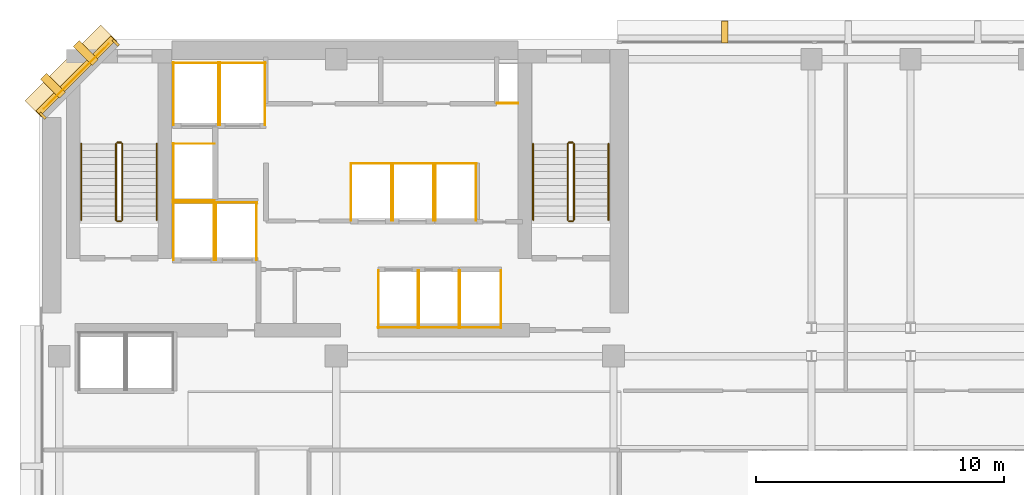
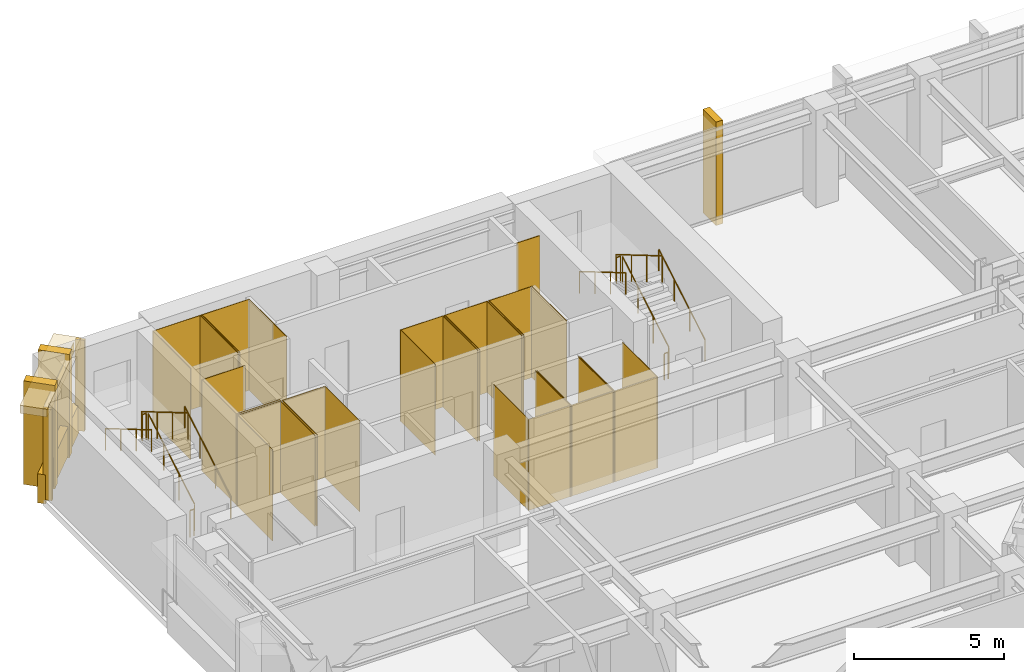
# One storey, part 10 of 11: 42 coverings, 12 railings.
"""IFC4 building model written with IfcOpenShell, lengths in metres."""

from ifc_helpers import new_model, si_unit, direction, frame, origin, origin_2d, place, context, subcontext, project, spatial, polyline, rectangle, circle, outline, extrude, material, layer, layer_set, type_object, element, save


model = new_model("IFC4")

# Units and contexts
model_context = context("Model", 3, precision=1e-05, world=origin(), true_north=direction((0.0, 1.0)))
body_context = subcontext(model_context, "Body", "Model", "MODEL_VIEW")
ifc_project = project(units=[si_unit("LENGTHUNIT", "METRE"), si_unit("AREAUNIT", "SQUARE_METRE"), si_unit("VOLUMEUNIT", "CUBIC_METRE"), si_unit("PLANEANGLEUNIT", "RADIAN"), si_unit("MASSUNIT", "GRAM", prefix="KILO")], contexts=[model_context])

# Site, building, storey
site_placement = place(None, origin())
site = spatial("IfcSite", under=ifc_project, at=site_placement, CompositionType="ELEMENT")
building_placement = place(site_placement, origin())
building = spatial("IfcBuilding", under=site, at=building_placement, Name="Kefirva Bronze Tower", CompositionType="ELEMENT")
storey_placement = place(building_placement, frame((0.0, 0.0, 154.77001953125)))
storey = spatial("IfcBuildingStorey", under=building, at=storey_placement, Name="L37", CompositionType="ELEMENT", Elevation=154.77001953125)

# Coverings
ifc_material_1 = material(Name="Bronze anodised aluminium", Category="aluminium")
ifc_layer_1 = layer(ifc_material_1, 0.02001953125, Name="Bronze anodised aluminium")
ifc_layer_set_1 = layer_set([ifc_layer_1], Name="Bronze anodised aluminium")
covering_type_1 = type_object("IfcCoveringType", Name="Anodised Bronze Spandrel Cladding 20mm", PredefinedType="CLADDING", material=ifc_layer_set_1)
covering_1_placement = place(storey_placement, frame((1.492919921875, 44.507080078125, 3.2900390625), z_axis=(0.0, 0.0, 1.0), x_axis=(-0.707106781187, -0.707106781187, 0.0)))
element("IfcCovering", 1, at=covering_1_placement, inside=storey, type_object=covering_type_1, Name="L37 Bronze Spandrel Cladding 5", PredefinedType="CLADDING", context=body_context, shape_type="SweptSolid", body=[
    extrude(rectangle(XDim=3.719482421875, YDim=0.02001953125, at=origin_2d()), origin(), (0.0, 0.0, 1.0), 0.39990234375),
])
for number, where, z_axis, x_axis, name in (
    (2, (3.08837890625, 45.862060546875, 0.0), (0.0, 0.0, 1.0), (-0.707106781187, -0.707106781187, 0.0), "L37 Facade Joint Closure Panel 5S"),
    (3, (0.137939453125, 42.91162109375, 0.0), (0.0, 0.0, 1.0), (-0.707106781187, -0.707106781187, 0.0), "L37 Facade Joint Closure Panel 5E"),
):
    element("IfcCovering", number, at=place(storey_placement, frame(where, z_axis=z_axis, x_axis=x_axis)), inside=storey, type_object=covering_type_1, Name=name, PredefinedType="CLADDING", context=body_context, shape_type="SweptSolid", body=[
        extrude(rectangle(XDim=0.10009765625, YDim=0.320068359375, at=origin_2d()), origin(), (0.0, 0.0, 1.0), 3.7099609375),
    ])
covering_2_placement = place(storey_placement, frame((1.4716796875, 44.5283203125, -0.16015625), z_axis=(0.0, 0.0, 1.0), x_axis=(-0.707106781187, -0.707106781187, 0.0)))
element("IfcCovering", 4, at=covering_2_placement, inside=storey, type_object=covering_type_1, Name="L37 Streamline Horizontal Spandrel Band 9", PredefinedType="CLADDING", context=body_context, shape_type="SweptSolid", body=[
    extrude(rectangle(XDim=4.28271484375, YDim=0.280029296875, at=origin_2d()), origin(), (0.0, 0.0, 1.0), 1.179931640625),
])
covering_3_placement = place(storey_placement, origin())
element("IfcCovering", 5, at=covering_3_placement, inside=storey, type_object=covering_type_1, Name="L37 Lift FF1 Hoistway Liner N", PredefinedType="CLADDING", context=body_context, shape_type="SweptSolid", body=[
    extrude(outline(polyline([(5.39990234375, 39.389892578125), (7.080078125, 39.389892578125), (7.080078125, 39.409912109375), (5.39990234375, 39.409912109375), (5.39990234375, 39.389892578125)])), origin(), (0.0, 0.0, 1.0), 3.7099609375),
])
covering_4_placement = place(storey_placement, origin())
element("IfcCovering", 6, at=covering_4_placement, inside=storey, type_object=covering_type_1, Name="L37 Lift FF1 Hoistway Liner W", PredefinedType="CLADDING", context=body_context, shape_type="SweptSolid", body=[
    extrude(outline(polyline([(5.409912109375, 37.080078125), (5.429931640625, 37.080078125), (5.429931640625, 39.419921875), (5.409912109375, 39.419921875), (5.409912109375, 37.080078125)])), origin(), (0.0, 0.0, 1.0), 3.7099609375),
])
covering_5_placement = place(storey_placement, origin())
element("IfcCovering", 7, at=covering_5_placement, inside=storey, type_object=covering_type_1, Name="L37 Lift FF1 Hoistway Liner E", PredefinedType="CLADDING", context=body_context, shape_type="SweptSolid", body=[
    extrude(outline(polyline([(7.050048828125, 37.080078125), (7.070068359375, 37.080078125), (7.070068359375, 39.419921875), (7.050048828125, 39.419921875), (7.050048828125, 37.080078125)])), origin(), (0.0, 0.0, 1.0), 3.7099609375),
])
covering_6_placement = place(storey_placement, origin())
element("IfcCovering", 8, at=covering_6_placement, inside=storey, type_object=covering_type_1, Name="L37 Lift FF2 Hoistway Liner N", PredefinedType="CLADDING", context=body_context, shape_type="SweptSolid", body=[
    extrude(outline(polyline([(7.1201171875, 39.389892578125), (8.800048828125, 39.389892578125), (8.800048828125, 39.409912109375), (7.1201171875, 39.409912109375), (7.1201171875, 39.389892578125)])), origin(), (0.0, 0.0, 1.0), 3.7099609375),
])
covering_7_placement = place(storey_placement, origin())
element("IfcCovering", 9, at=covering_7_placement, inside=storey, type_object=covering_type_1, Name="L37 Lift FF2 Hoistway Liner W", PredefinedType="CLADDING", context=body_context, shape_type="SweptSolid", body=[
    extrude(outline(polyline([(7.1298828125, 37.080078125), (7.14990234375, 37.080078125), (7.14990234375, 39.419921875), (7.1298828125, 39.419921875), (7.1298828125, 37.080078125)])), origin(), (0.0, 0.0, 1.0), 3.7099609375),
])
covering_8_placement = place(storey_placement, origin())
element("IfcCovering", 10, at=covering_8_placement, inside=storey, type_object=covering_type_1, Name="L37 Lift FF2 Hoistway Liner E", PredefinedType="CLADDING", context=body_context, shape_type="SweptSolid", body=[
    extrude(outline(polyline([(8.77001953125, 37.080078125), (8.7900390625, 37.080078125), (8.7900390625, 39.419921875), (8.77001953125, 39.419921875), (8.77001953125, 37.080078125)])), origin(), (0.0, 0.0, 1.0), 3.7099609375),
])
covering_9_placement = place(storey_placement, origin())
element("IfcCovering", 11, at=covering_9_placement, inside=storey, type_object=covering_type_1, Name="L37 Lift SV1 Hoistway Liner N", PredefinedType="CLADDING", context=body_context, shape_type="SweptSolid", body=[
    extrude(outline(polyline([(5.39990234375, 45.0400390625), (7.260009765625, 45.0400390625), (7.260009765625, 45.06005859375), (5.39990234375, 45.06005859375), (5.39990234375, 45.0400390625)])), origin(), (0.0, 0.0, 1.0), 3.7099609375),
])
covering_10_placement = place(storey_placement, origin())
element("IfcCovering", 12, at=covering_10_placement, inside=storey, type_object=covering_type_1, Name="L37 Lift SV1 Hoistway Liner W", PredefinedType="CLADDING", context=body_context, shape_type="SweptSolid", body=[
    extrude(outline(polyline([(5.409912109375, 42.530029296875), (5.429931640625, 42.530029296875), (5.429931640625, 45.070068359375), (5.409912109375, 45.070068359375), (5.409912109375, 42.530029296875)])), origin(), (0.0, 0.0, 1.0), 3.7099609375),
])
covering_11_placement = place(storey_placement, origin())
element("IfcCovering", 13, at=covering_11_placement, inside=storey, type_object=covering_type_1, Name="L37 Lift SV1 Hoistway Liner E", PredefinedType="CLADDING", context=body_context, shape_type="SweptSolid", body=[
    extrude(outline(polyline([(7.22998046875, 42.530029296875), (7.25, 42.530029296875), (7.25, 45.070068359375), (7.22998046875, 45.070068359375), (7.22998046875, 42.530029296875)])), origin(), (0.0, 0.0, 1.0), 3.7099609375),
])
covering_12_placement = place(storey_placement, origin())
element("IfcCovering", 14, at=covering_12_placement, inside=storey, type_object=covering_type_1, Name="L37 Lift SV2 Hoistway Liner N", PredefinedType="CLADDING", context=body_context, shape_type="SweptSolid", body=[
    extrude(outline(polyline([(7.280029296875, 45.0400390625), (9.139892578125, 45.0400390625), (9.139892578125, 45.06005859375), (7.280029296875, 45.06005859375), (7.280029296875, 45.0400390625)])), origin(), (0.0, 0.0, 1.0), 3.7099609375),
])
covering_13_placement = place(storey_placement, origin())
element("IfcCovering", 15, at=covering_13_placement, inside=storey, type_object=covering_type_1, Name="L37 Lift SV2 Hoistway Liner W", PredefinedType="CLADDING", context=body_context, shape_type="SweptSolid", body=[
    extrude(outline(polyline([(7.2900390625, 42.530029296875), (7.31005859375, 42.530029296875), (7.31005859375, 45.070068359375), (7.2900390625, 45.070068359375), (7.2900390625, 42.530029296875)])), origin(), (0.0, 0.0, 1.0), 3.7099609375),
])
covering_14_placement = place(storey_placement, origin())
element("IfcCovering", 16, at=covering_14_placement, inside=storey, type_object=covering_type_1, Name="L37 Lift SV2 Hoistway Liner E", PredefinedType="CLADDING", context=body_context, shape_type="SweptSolid", body=[
    extrude(outline(polyline([(9.110107421875, 42.530029296875), (9.1298828125, 42.530029296875), (9.1298828125, 45.070068359375), (9.110107421875, 45.070068359375), (9.110107421875, 42.530029296875)])), origin(), (0.0, 0.0, 1.0), 3.7099609375),
])
covering_15_placement = place(storey_placement, origin())
element("IfcCovering", 17, at=covering_15_placement, inside=storey, type_object=covering_type_1, Name="L37 Lift MP1 Hoistway Liner S", PredefinedType="CLADDING", context=body_context, shape_type="SweptSolid", body=[
    extrude(outline(polyline([(13.679931640625, 34.340087890625), (15.320068359375, 34.340087890625), (15.320068359375, 34.360107421875), (13.679931640625, 34.360107421875), (13.679931640625, 34.340087890625)])), origin(), (0.0, 0.0, 1.0), 3.7099609375),
])
covering_16_placement = place(storey_placement, origin())
element("IfcCovering", 18, at=covering_16_placement, inside=storey, type_object=covering_type_1, Name="L37 Lift MP1 Hoistway Liner W", PredefinedType="CLADDING", context=body_context, shape_type="SweptSolid", body=[
    extrude(outline(polyline([(13.68994140625, 34.330078125), (13.7099609375, 34.330078125), (13.7099609375, 36.669921875), (13.68994140625, 36.669921875), (13.68994140625, 34.330078125)])), origin(), (0.0, 0.0, 1.0), 3.7099609375),
])
covering_17_placement = place(storey_placement, origin())
element("IfcCovering", 19, at=covering_17_placement, inside=storey, type_object=covering_type_1, Name="L37 Lift MP1 Hoistway Liner E", PredefinedType="CLADDING", context=body_context, shape_type="SweptSolid", body=[
    extrude(outline(polyline([(15.2900390625, 34.330078125), (15.31005859375, 34.330078125), (15.31005859375, 36.669921875), (15.2900390625, 36.669921875), (15.2900390625, 34.330078125)])), origin(), (0.0, 0.0, 1.0), 3.7099609375),
])
covering_18_placement = place(storey_placement, origin())
element("IfcCovering", 20, at=covering_18_placement, inside=storey, type_object=covering_type_1, Name="L37 Lift MP2 Hoistway Liner S", PredefinedType="CLADDING", context=body_context, shape_type="SweptSolid", body=[
    extrude(outline(polyline([(15.330078125, 34.340087890625), (16.969970703125, 34.340087890625), (16.969970703125, 34.360107421875), (15.330078125, 34.360107421875), (15.330078125, 34.340087890625)])), origin(), (0.0, 0.0, 1.0), 3.7099609375),
])
covering_19_placement = place(storey_placement, origin())
element("IfcCovering", 21, at=covering_19_placement, inside=storey, type_object=covering_type_1, Name="L37 Lift MP2 Hoistway Liner W", PredefinedType="CLADDING", context=body_context, shape_type="SweptSolid", body=[
    extrude(outline(polyline([(15.340087890625, 34.330078125), (15.360107421875, 34.330078125), (15.360107421875, 36.669921875), (15.340087890625, 36.669921875), (15.340087890625, 34.330078125)])), origin(), (0.0, 0.0, 1.0), 3.7099609375),
])
covering_20_placement = place(storey_placement, origin())
element("IfcCovering", 22, at=covering_20_placement, inside=storey, type_object=covering_type_1, Name="L37 Lift MP2 Hoistway Liner E", PredefinedType="CLADDING", context=body_context, shape_type="SweptSolid", body=[
    extrude(outline(polyline([(16.93994140625, 34.330078125), (16.9599609375, 34.330078125), (16.9599609375, 36.669921875), (16.93994140625, 36.669921875), (16.93994140625, 34.330078125)])), origin(), (0.0, 0.0, 1.0), 3.7099609375),
])
covering_21_placement = place(storey_placement, origin())
element("IfcCovering", 23, at=covering_21_placement, inside=storey, type_object=covering_type_1, Name="L37 Lift MP3 Hoistway Liner N", PredefinedType="CLADDING", context=body_context, shape_type="SweptSolid", body=[
    extrude(outline(polyline([(12.580078125, 40.969970703125), (14.25, 40.969970703125), (14.25, 40.989990234375), (12.580078125, 40.989990234375), (12.580078125, 40.969970703125)])), origin(), (0.0, 0.0, 1.0), 3.7099609375),
])
covering_22_placement = place(storey_placement, origin())
element("IfcCovering", 24, at=covering_22_placement, inside=storey, type_object=covering_type_1, Name="L37 Lift MP3 Hoistway Liner W", PredefinedType="CLADDING", context=body_context, shape_type="SweptSolid", body=[
    extrude(outline(polyline([(12.590087890625, 38.659912109375), (12.610107421875, 38.659912109375), (12.610107421875, 41.0), (12.590087890625, 41.0), (12.590087890625, 38.659912109375)])), origin(), (0.0, 0.0, 1.0), 3.7099609375),
])
covering_23_placement = place(storey_placement, origin())
element("IfcCovering", 25, at=covering_23_placement, inside=storey, type_object=covering_type_1, Name="L37 Lift MP3 Hoistway Liner E", PredefinedType="CLADDING", context=body_context, shape_type="SweptSolid", body=[
    extrude(outline(polyline([(14.219970703125, 38.659912109375), (14.239990234375, 38.659912109375), (14.239990234375, 41.0), (14.219970703125, 41.0), (14.219970703125, 38.659912109375)])), origin(), (0.0, 0.0, 1.0), 3.7099609375),
])
covering_24_placement = place(storey_placement, origin())
element("IfcCovering", 26, at=covering_24_placement, inside=storey, type_object=covering_type_1, Name="L37 Lift MP4 Hoistway Liner N", PredefinedType="CLADDING", context=body_context, shape_type="SweptSolid", body=[
    extrude(outline(polyline([(14.280029296875, 40.969970703125), (15.949951171875, 40.969970703125), (15.949951171875, 40.989990234375), (14.280029296875, 40.989990234375), (14.280029296875, 40.969970703125)])), origin(), (0.0, 0.0, 1.0), 3.7099609375),
])
covering_25_placement = place(storey_placement, origin())
element("IfcCovering", 27, at=covering_25_placement, inside=storey, type_object=covering_type_1, Name="L37 Lift MP4 Hoistway Liner W", PredefinedType="CLADDING", context=body_context, shape_type="SweptSolid", body=[
    extrude(outline(polyline([(14.2900390625, 38.659912109375), (14.31005859375, 38.659912109375), (14.31005859375, 41.0), (14.2900390625, 41.0), (14.2900390625, 38.659912109375)])), origin(), (0.0, 0.0, 1.0), 3.7099609375),
])
covering_26_placement = place(storey_placement, origin())
element("IfcCovering", 28, at=covering_26_placement, inside=storey, type_object=covering_type_1, Name="L37 Lift MP4 Hoistway Liner E", PredefinedType="CLADDING", context=body_context, shape_type="SweptSolid", body=[
    extrude(outline(polyline([(15.919921875, 38.659912109375), (15.93994140625, 38.659912109375), (15.93994140625, 41.0), (15.919921875, 41.0), (15.919921875, 38.659912109375)])), origin(), (0.0, 0.0, 1.0), 3.7099609375),
])
covering_27_placement = place(storey_placement, origin())
element("IfcCovering", 29, at=covering_27_placement, inside=storey, type_object=covering_type_1, Name="L37 Lift HP1 Hoistway Liner S", PredefinedType="CLADDING", context=body_context, shape_type="SweptSolid", body=[
    extrude(outline(polyline([(16.97998046875, 34.340087890625), (18.669921875, 34.340087890625), (18.669921875, 34.360107421875), (16.97998046875, 34.360107421875), (16.97998046875, 34.340087890625)])), origin(), (0.0, 0.0, 1.0), 3.7099609375),
])
covering_28_placement = place(storey_placement, origin())
element("IfcCovering", 30, at=covering_28_placement, inside=storey, type_object=covering_type_1, Name="L37 Lift HP1 Hoistway Liner W", PredefinedType="CLADDING", context=body_context, shape_type="SweptSolid", body=[
    extrude(outline(polyline([(16.989990234375, 34.330078125), (17.010009765625, 34.330078125), (17.010009765625, 36.669921875), (16.989990234375, 36.669921875), (16.989990234375, 34.330078125)])), origin(), (0.0, 0.0, 1.0), 3.7099609375),
])
covering_29_placement = place(storey_placement, origin())
element("IfcCovering", 31, at=covering_29_placement, inside=storey, type_object=covering_type_1, Name="L37 Lift HP1 Hoistway Liner E", PredefinedType="CLADDING", context=body_context, shape_type="SweptSolid", body=[
    extrude(outline(polyline([(18.639892578125, 34.330078125), (18.659912109375, 34.330078125), (18.659912109375, 36.669921875), (18.639892578125, 36.669921875), (18.639892578125, 34.330078125)])), origin(), (0.0, 0.0, 1.0), 3.7099609375),
])
covering_30_placement = place(storey_placement, origin())
element("IfcCovering", 32, at=covering_30_placement, inside=storey, type_object=covering_type_1, Name="L37 Lift HP2 Hoistway Liner N", PredefinedType="CLADDING", context=body_context, shape_type="SweptSolid", body=[
    extrude(outline(polyline([(15.97998046875, 40.969970703125), (17.669921875, 40.969970703125), (17.669921875, 40.989990234375), (15.97998046875, 40.989990234375), (15.97998046875, 40.969970703125)])), origin(), (0.0, 0.0, 1.0), 3.7099609375),
])
covering_31_placement = place(storey_placement, origin())
element("IfcCovering", 33, at=covering_31_placement, inside=storey, type_object=covering_type_1, Name="L37 Lift HP2 Hoistway Liner W", PredefinedType="CLADDING", context=body_context, shape_type="SweptSolid", body=[
    extrude(outline(polyline([(15.989990234375, 38.659912109375), (16.010009765625, 38.659912109375), (16.010009765625, 41.0), (15.989990234375, 41.0), (15.989990234375, 38.659912109375)])), origin(), (0.0, 0.0, 1.0), 3.7099609375),
])
covering_32_placement = place(storey_placement, origin())
element("IfcCovering", 34, at=covering_32_placement, inside=storey, type_object=covering_type_1, Name="L37 Lift HP2 Hoistway Liner E", PredefinedType="CLADDING", context=body_context, shape_type="SweptSolid", body=[
    extrude(outline(polyline([(17.639892578125, 38.659912109375), (17.659912109375, 38.659912109375), (17.659912109375, 41.0), (17.639892578125, 41.0), (17.639892578125, 38.659912109375)])), origin(), (0.0, 0.0, 1.0), 3.7099609375),
])
covering_33_placement = place(storey_placement, origin())
element("IfcCovering", 35, at=covering_33_placement, inside=storey, type_object=covering_type_1, Name="L37 Lift HP3 Hoistway Liner N", PredefinedType="CLADDING", context=body_context, shape_type="SweptSolid", body=[
    extrude(outline(polyline([(5.39990234375, 41.77001953125), (7.080078125, 41.77001953125), (7.080078125, 41.7900390625), (5.39990234375, 41.7900390625), (5.39990234375, 41.77001953125)])), origin(), (0.0, 0.0, 1.0), 3.7099609375),
])
covering_34_placement = place(storey_placement, origin())
element("IfcCovering", 36, at=covering_34_placement, inside=storey, type_object=covering_type_1, Name="L37 Lift HP3 Hoistway Liner S", PredefinedType="CLADDING", context=body_context, shape_type="SweptSolid", body=[
    extrude(outline(polyline([(5.39990234375, 39.469970703125), (7.080078125, 39.469970703125), (7.080078125, 39.489990234375), (5.39990234375, 39.489990234375), (5.39990234375, 39.469970703125)])), origin(), (0.0, 0.0, 1.0), 3.7099609375),
])
covering_35_placement = place(storey_placement, origin())
element("IfcCovering", 37, at=covering_35_placement, inside=storey, type_object=covering_type_1, Name="L37 Lift HP3 Hoistway Liner W", PredefinedType="CLADDING", context=body_context, shape_type="SweptSolid", body=[
    extrude(outline(polyline([(5.409912109375, 39.4599609375), (5.429931640625, 39.4599609375), (5.429931640625, 41.800048828125), (5.409912109375, 41.800048828125), (5.409912109375, 39.4599609375)])), origin(), (0.0, 0.0, 1.0), 3.7099609375),
])
covering_36_placement = place(storey_placement, origin())
element("IfcCovering", 38, at=covering_36_placement, inside=storey, type_object=covering_type_1, Name="L37 Core MEP Riser Shaft Liner South", PredefinedType="CLADDING", context=body_context, shape_type="SweptSolid", body=[
    extrude(outline(polyline([(18.47998046875, 43.39990234375), (19.360107421875, 43.39990234375), (19.360107421875, 43.429931640625), (18.47998046875, 43.429931640625), (18.47998046875, 43.39990234375)])), origin(), (0.0, 0.0, 1.0), 3.7099609375),
])

# Railings
ifc_material_2 = material(Name="Stainless steel 316", Category="steel")
railing_type_1 = type_object("IfcRailingType", Name="Interior Stair Guardrail 1100mm", PredefinedType="GUARDRAIL", material=ifc_material_2)
railing_1_placement = place(storey_placement, frame((3.35009765625, 38.699951171875, 0.1650390625)))
element("IfcRailing", 39, at=railing_1_placement, inside=storey, type_object=railing_type_1, Name="L37 ST-1 stair guard 1", PredefinedType="GUARDRAIL", context=body_context, shape_type="SweptSolid", body=[
    extrude(circle(Radius=0.02392578125, at=origin_2d()), frame((0.0, 0.0, 1.076171875), z_axis=(0.0, 0.861551262678, 0.507670583921), x_axis=(-1.0, 0.0, 0.0)), (0.0, 0.0, 1.0), 3.574951171875),
    extrude(circle(Radius=0.02099609375, at=origin_2d()), origin(), (0.0, 0.0, 1.0), 1.052001953125),
    extrude(circle(Radius=0.02099609375, at=origin_2d()), frame((0.0, 1.026611328125, 0.60498046875)), (0.0, 0.0, 1.0), 1.052001953125),
    extrude(circle(Radius=0.02099609375, at=origin_2d()), frame((0.0, 2.053466796875, 1.2099609375)), (0.0, 0.0, 1.0), 1.052001953125),
    extrude(circle(Radius=0.02099609375, at=origin_2d()), frame((0.0, 3.080078125, 1.81494140625)), (0.0, 0.0, 1.0), 1.052001953125),
])
railing_2_placement = place(storey_placement, frame((3.300048828125, 41.830078125, 1.97998046875)))
element("IfcRailing", 40, at=railing_2_placement, inside=storey, type_object=railing_type_1, Name="L37 ST-1 stair guard 2", PredefinedType="GUARDRAIL", context=body_context, shape_type="SweptSolid", body=[
    extrude(circle(Radius=0.02392578125, at=origin_2d()), frame((0.0, 0.0, 1.076171875), z_axis=(-1.0, 0.0, 0.0), x_axis=(0.0, -1.0, 0.0)), (0.0, 0.0, 1.0), 0.150146484375),
    extrude(circle(Radius=0.02099609375, at=origin_2d()), origin(), (0.0, 0.0, 1.0), 1.052001953125),
    extrude(circle(Radius=0.02099609375, at=origin_2d()), frame((-0.150146484375, 0.0, 0.0)), (0.0, 0.0, 1.0), 1.052001953125),
])
railing_3_placement = place(storey_placement, frame((3.10009765625, 41.780029296875, 2.14501953125)))
element("IfcRailing", 41, at=railing_3_placement, inside=storey, type_object=railing_type_1, Name="L37 ST-1 stair guard 3", PredefinedType="GUARDRAIL", context=body_context, shape_type="SweptSolid", body=[
    extrude(circle(Radius=0.02392578125, at=origin_2d()), frame((0.0, 0.0, 1.076171875), z_axis=(0.0, -0.861551262678, 0.507670583921), x_axis=(1.0, 0.0, 0.0)), (0.0, 0.0, 1.0), 3.574951171875),
    extrude(circle(Radius=0.02099609375, at=origin_2d()), origin(), (0.0, 0.0, 1.0), 1.052001953125),
    extrude(circle(Radius=0.02099609375, at=origin_2d()), frame((0.0, -1.026611328125, 0.60498046875)), (0.0, 0.0, 1.0), 1.052001953125),
    extrude(circle(Radius=0.02099609375, at=origin_2d()), frame((0.0, -2.053466796875, 1.2099609375)), (0.0, 0.0, 1.0), 1.052001953125),
    extrude(circle(Radius=0.02099609375, at=origin_2d()), frame((0.0, -3.080078125, 1.81494140625)), (0.0, 0.0, 1.0), 1.052001953125),
])
railing_4_placement = place(storey_placement, frame((3.300048828125, 38.64990234375, 0.0)))
element("IfcRailing", 42, at=railing_4_placement, inside=storey, type_object=railing_type_1, Name="L37 ST-1 stair guard 4", PredefinedType="GUARDRAIL", context=body_context, shape_type="SweptSolid", body=[
    extrude(circle(Radius=0.02392578125, at=origin_2d()), frame((0.0, 0.0, 1.076171875), z_axis=(-1.0, 0.0, 0.0), x_axis=(0.0, -1.0, 0.0)), (0.0, 0.0, 1.0), 0.150146484375),
    extrude(circle(Radius=0.02099609375, at=origin_2d()), origin(), (0.0, 0.0, 1.0), 1.052001953125),
    extrude(circle(Radius=0.02099609375, at=origin_2d()), frame((-0.150146484375, 0.0, 0.0)), (0.0, 0.0, 1.0), 1.052001953125),
])
railing_5_placement = place(storey_placement, frame((21.60009765625, 38.699951171875, 0.1650390625)))
element("IfcRailing", 43, at=railing_5_placement, inside=storey, type_object=railing_type_1, Name="L37 ST-2 stair guard 1", PredefinedType="GUARDRAIL", context=body_context, shape_type="SweptSolid", body=[
    extrude(circle(Radius=0.02392578125, at=origin_2d()), frame((0.0, 0.0, 1.076171875), z_axis=(0.0, 0.861551262678, 0.507670583921), x_axis=(-1.0, 0.0, 0.0)), (0.0, 0.0, 1.0), 3.574951171875),
    extrude(circle(Radius=0.02099609375, at=origin_2d()), origin(), (0.0, 0.0, 1.0), 1.052001953125),
    extrude(circle(Radius=0.02099609375, at=origin_2d()), frame((0.0, 1.026611328125, 0.60498046875)), (0.0, 0.0, 1.0), 1.052001953125),
    extrude(circle(Radius=0.02099609375, at=origin_2d()), frame((0.0, 2.053466796875, 1.2099609375)), (0.0, 0.0, 1.0), 1.052001953125),
    extrude(circle(Radius=0.02099609375, at=origin_2d()), frame((0.0, 3.080078125, 1.81494140625)), (0.0, 0.0, 1.0), 1.052001953125),
])
railing_6_placement = place(storey_placement, frame((21.550048828125, 41.830078125, 1.97998046875)))
element("IfcRailing", 44, at=railing_6_placement, inside=storey, type_object=railing_type_1, Name="L37 ST-2 stair guard 2", PredefinedType="GUARDRAIL", context=body_context, shape_type="SweptSolid", body=[
    extrude(circle(Radius=0.02392578125, at=origin_2d()), frame((0.0, 0.0, 1.076171875), z_axis=(-1.0, 0.0, 0.0), x_axis=(0.0, -1.0, 0.0)), (0.0, 0.0, 1.0), 0.150146484375),
    extrude(circle(Radius=0.02099609375, at=origin_2d()), origin(), (0.0, 0.0, 1.0), 1.052001953125),
    extrude(circle(Radius=0.02099609375, at=origin_2d()), frame((-0.150146484375, 0.0, 0.0)), (0.0, 0.0, 1.0), 1.052001953125),
])
railing_7_placement = place(storey_placement, frame((21.35009765625, 41.780029296875, 2.14501953125)))
element("IfcRailing", 45, at=railing_7_placement, inside=storey, type_object=railing_type_1, Name="L37 ST-2 stair guard 3", PredefinedType="GUARDRAIL", context=body_context, shape_type="SweptSolid", body=[
    extrude(circle(Radius=0.02392578125, at=origin_2d()), frame((0.0, 0.0, 1.076171875), z_axis=(0.0, -0.861551262678, 0.507670583921), x_axis=(1.0, 0.0, 0.0)), (0.0, 0.0, 1.0), 3.574951171875),
    extrude(circle(Radius=0.02099609375, at=origin_2d()), origin(), (0.0, 0.0, 1.0), 1.052001953125),
    extrude(circle(Radius=0.02099609375, at=origin_2d()), frame((0.0, -1.026611328125, 0.60498046875)), (0.0, 0.0, 1.0), 1.052001953125),
    extrude(circle(Radius=0.02099609375, at=origin_2d()), frame((0.0, -2.053466796875, 1.2099609375)), (0.0, 0.0, 1.0), 1.052001953125),
    extrude(circle(Radius=0.02099609375, at=origin_2d()), frame((0.0, -3.080078125, 1.81494140625)), (0.0, 0.0, 1.0), 1.052001953125),
])
railing_8_placement = place(storey_placement, frame((21.550048828125, 38.64990234375, 0.0)))
element("IfcRailing", 46, at=railing_8_placement, inside=storey, type_object=railing_type_1, Name="L37 ST-2 stair guard 4", PredefinedType="GUARDRAIL", context=body_context, shape_type="SweptSolid", body=[
    extrude(circle(Radius=0.02392578125, at=origin_2d()), frame((0.0, 0.0, 1.076171875), z_axis=(-1.0, 0.0, 0.0), x_axis=(0.0, -1.0, 0.0)), (0.0, 0.0, 1.0), 0.150146484375),
    extrude(circle(Radius=0.02099609375, at=origin_2d()), origin(), (0.0, 0.0, 1.0), 1.052001953125),
    extrude(circle(Radius=0.02099609375, at=origin_2d()), frame((-0.150146484375, 0.0, 0.0)), (0.0, 0.0, 1.0), 1.052001953125),
])
railing_type_2 = type_object("IfcRailingType", Name="Stair Pitch Handrail 900mm", PredefinedType="HANDRAIL", material=ifc_material_2)
railing_9_placement = place(storey_placement, frame((4.75, 38.699951171875, 0.1650390625)))
element("IfcRailing", 47, at=railing_9_placement, inside=storey, type_object=railing_type_2, Name="L37 ST-1 stair handrail 1", PredefinedType="HANDRAIL", context=body_context, shape_type="SweptSolid", body=[
    extrude(circle(Radius=0.02392578125, at=origin_2d()), frame((0.0, 0.0, 0.8759765625), z_axis=(0.0, 0.861551262678, 0.507670583921), x_axis=(-1.0, 0.0, 0.0)), (0.0, 0.0, 1.0), 3.574951171875),
    extrude(circle(Radius=0.02099609375, at=origin_2d()), origin(), (0.0, 0.0, 1.0), 0.851806640625),
    extrude(circle(Radius=0.02099609375, at=origin_2d()), frame((0.0, 1.026611328125, 0.60498046875)), (0.0, 0.0, 1.0), 0.851806640625),
    extrude(circle(Radius=0.02099609375, at=origin_2d()), frame((0.0, 2.053466796875, 1.2099609375)), (0.0, 0.0, 1.0), 0.851806640625),
    extrude(circle(Radius=0.02099609375, at=origin_2d()), frame((0.0, 3.080078125, 1.81494140625)), (0.0, 0.0, 1.0), 0.851806640625),
])
railing_10_placement = place(storey_placement, frame((1.699951171875, 41.780029296875, 2.14501953125)))
element("IfcRailing", 48, at=railing_10_placement, inside=storey, type_object=railing_type_2, Name="L37 ST-1 stair handrail 2", PredefinedType="HANDRAIL", context=body_context, shape_type="SweptSolid", body=[
    extrude(circle(Radius=0.02392578125, at=origin_2d()), frame((0.0, 0.0, 0.8759765625), z_axis=(0.0, -0.861551262678, 0.507670583921), x_axis=(1.0, 0.0, 0.0)), (0.0, 0.0, 1.0), 3.574951171875),
    extrude(circle(Radius=0.02099609375, at=origin_2d()), origin(), (0.0, 0.0, 1.0), 0.851806640625),
    extrude(circle(Radius=0.02099609375, at=origin_2d()), frame((0.0, -1.026611328125, 0.60498046875)), (0.0, 0.0, 1.0), 0.851806640625),
    extrude(circle(Radius=0.02099609375, at=origin_2d()), frame((0.0, -2.053466796875, 1.2099609375)), (0.0, 0.0, 1.0), 0.851806640625),
    extrude(circle(Radius=0.02099609375, at=origin_2d()), frame((0.0, -3.080078125, 1.81494140625)), (0.0, 0.0, 1.0), 0.851806640625),
])
railing_11_placement = place(storey_placement, frame((23.0, 38.699951171875, 0.1650390625)))
element("IfcRailing", 49, at=railing_11_placement, inside=storey, type_object=railing_type_2, Name="L37 ST-2 stair handrail 1", PredefinedType="HANDRAIL", context=body_context, shape_type="SweptSolid", body=[
    extrude(circle(Radius=0.02392578125, at=origin_2d()), frame((0.0, 0.0, 0.8759765625), z_axis=(0.0, 0.861551262678, 0.507670583921), x_axis=(-1.0, 0.0, 0.0)), (0.0, 0.0, 1.0), 3.574951171875),
    extrude(circle(Radius=0.02099609375, at=origin_2d()), origin(), (0.0, 0.0, 1.0), 0.851806640625),
    extrude(circle(Radius=0.02099609375, at=origin_2d()), frame((0.0, 1.026611328125, 0.60498046875)), (0.0, 0.0, 1.0), 0.851806640625),
    extrude(circle(Radius=0.02099609375, at=origin_2d()), frame((0.0, 2.053466796875, 1.2099609375)), (0.0, 0.0, 1.0), 0.851806640625),
    extrude(circle(Radius=0.02099609375, at=origin_2d()), frame((0.0, 3.080078125, 1.81494140625)), (0.0, 0.0, 1.0), 0.851806640625),
])
railing_12_placement = place(storey_placement, frame((19.949951171875, 41.780029296875, 2.14501953125)))
element("IfcRailing", 50, at=railing_12_placement, inside=storey, type_object=railing_type_2, Name="L37 ST-2 stair handrail 2", PredefinedType="HANDRAIL", context=body_context, shape_type="SweptSolid", body=[
    extrude(circle(Radius=0.02392578125, at=origin_2d()), frame((0.0, 0.0, 0.8759765625), z_axis=(0.0, -0.861551262678, 0.507670583921), x_axis=(1.0, 0.0, 0.0)), (0.0, 0.0, 1.0), 3.574951171875),
    extrude(circle(Radius=0.02099609375, at=origin_2d()), origin(), (0.0, 0.0, 1.0), 0.851806640625),
    extrude(circle(Radius=0.02099609375, at=origin_2d()), frame((0.0, -1.026611328125, 0.60498046875)), (0.0, 0.0, 1.0), 0.851806640625),
    extrude(circle(Radius=0.02099609375, at=origin_2d()), frame((0.0, -2.053466796875, 1.2099609375)), (0.0, 0.0, 1.0), 0.851806640625),
    extrude(circle(Radius=0.02099609375, at=origin_2d()), frame((0.0, -3.080078125, 1.81494140625)), (0.0, 0.0, 1.0), 0.851806640625),
])

# Coverings
ifc_layer_2 = layer(ifc_material_1, 0.179931640625, Name="Bronze anodised aluminium")
ifc_layer_set_2 = layer_set([ifc_layer_2], Name="Bronze anodised aluminium")
covering_type_2 = type_object("IfcCoveringType", Name="Streamline Bronze Sunshade Eyebrow Cladding 180mm", PredefinedType="CLADDING", material=ifc_layer_set_2)
covering_37_placement = place(storey_placement, frame((1.28076171875, 44.71923828125, 3.39013671875), z_axis=(0.0, 0.0, 1.0), x_axis=(-0.707106781187, -0.707106781187, 0.0)))
element("IfcCovering", 51, at=covering_37_placement, inside=storey, type_object=covering_type_2, Name="L37 Streamline Bronze Sunshade Eyebrow 9", PredefinedType="CLADDING", context=body_context, shape_type="SweptSolid", body=[
    extrude(rectangle(XDim=4.322509765625, YDim=0.93994140625, at=origin_2d()), origin(), (0.0, 0.0, 1.0), 0.320068359375),
])
ifc_layer_3 = layer(ifc_material_1, 0.260009765625, Name="Bronze anodised aluminium")
ifc_layer_set_3 = layer_set([ifc_layer_3], Name="Bronze anodised aluminium")
covering_type_3 = type_object("IfcCoveringType", Name="Unbroken Bronze Buttress Fin Cladding 260mm", PredefinedType="CLADDING", material=ifc_layer_set_3)
covering_38_placement = place(storey_placement, frame((27.68798828125, 46.300048828125, -0.25), z_axis=(0.0, 0.0, 1.0), x_axis=(-1.0, 0.0, 0.0)))
element("IfcCovering", 52, at=covering_38_placement, inside=storey, type_object=covering_type_3, Name="L37 Unbroken Vertical Bronze Rib Fin 20", PredefinedType="CLADDING", context=body_context, shape_type="SweptSolid", body=[
    extrude(rectangle(XDim=0.260009765625, YDim=0.8798828125, at=origin_2d()), origin(), (0.0, 0.0, 1.0), 4.2099609375),
])
for number, where, z_axis, x_axis, name in (
    (53, (1.877197265625, 45.44287109375, -0.25), (0.0, 0.0, 1.0), (-0.707106781187, -0.707106781187, 0.0), "L37 Chamfered Corner Buttress Fin Cladding 21"),
    (54, (0.55712890625, 44.122802734375, -0.25), (0.0, 0.0, 1.0), (-0.707106781187, -0.707106781187, 0.0), "L37 Chamfered Corner Buttress Fin Cladding 22"),
):
    element("IfcCovering", number, at=place(storey_placement, frame(where, z_axis=z_axis, x_axis=x_axis)), inside=storey, type_object=covering_type_3, Name=name, PredefinedType="CLADDING", context=body_context, shape_type="SweptSolid", body=[
        extrude(rectangle(XDim=0.340087890625, YDim=1.080078125, at=origin_2d()), origin(), (0.0, 0.0, 1.0), 4.2099609375),
    ])

save(model, "model.ifc")
